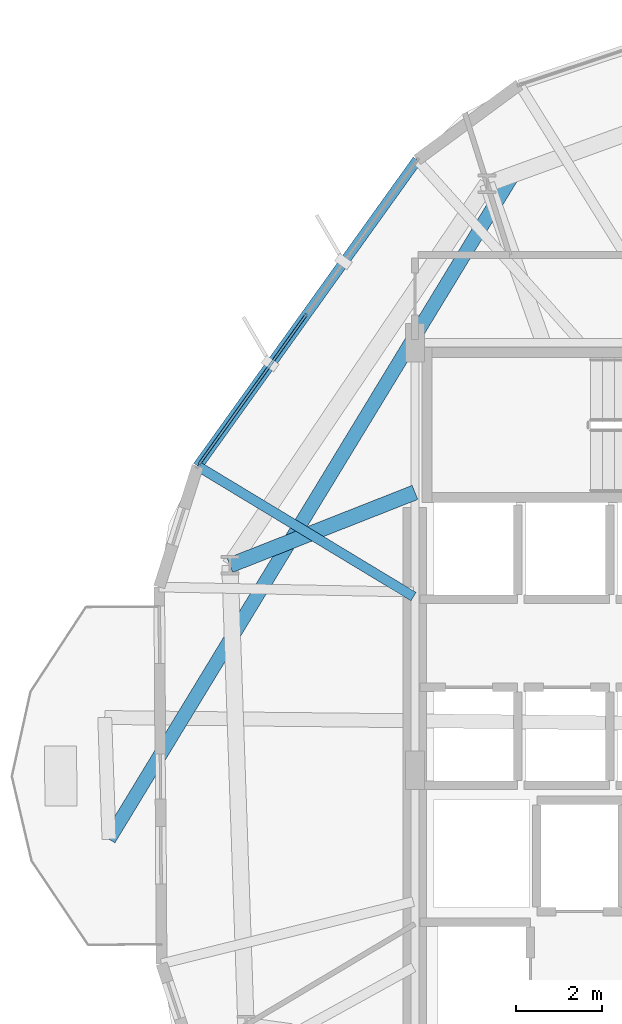
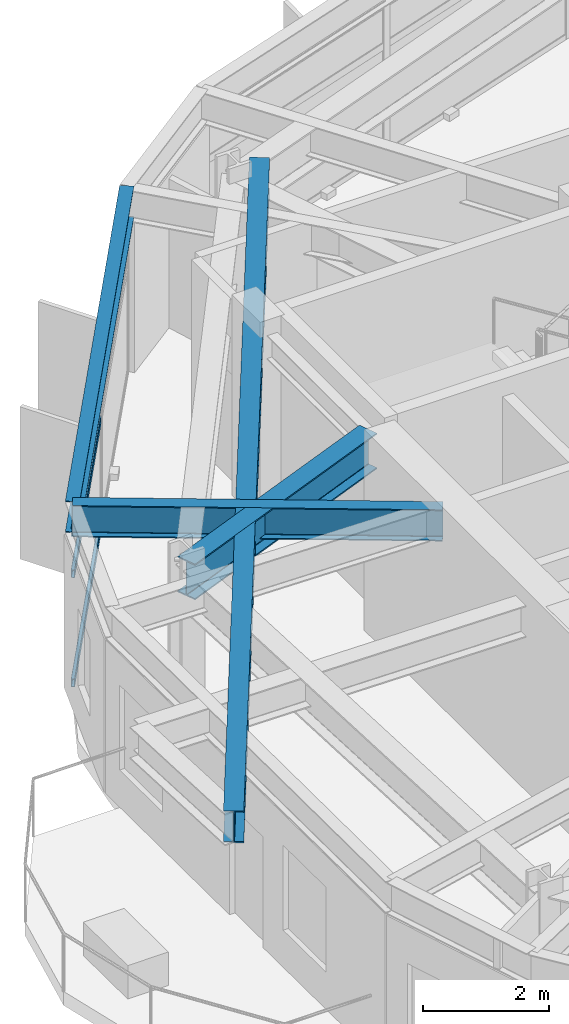
# One storey, part 9 of 27: 4 beams, 3 members, 1 element without a shape of its own.
"""IFC4 building model written with IfcOpenShell, lengths in metres."""

from ifc_helpers import new_model, si_unit, direction, frame, origin, origin_2d, place, context, subcontext, project, spatial, hollow_rectangle, i_section, extrude, material, layer, layer_set, material_profile, profile_set, type_object, element, aggregate, save


model = new_model("IFC4")

# Units and contexts
model_context = context("Model", 3, precision=1e-05, world=origin(), true_north=direction((0.0, 1.0)))
body_context = subcontext(model_context, "Body", "Model", "MODEL_VIEW")
ifc_project = project(units=[si_unit("LENGTHUNIT", "METRE"), si_unit("AREAUNIT", "SQUARE_METRE"), si_unit("VOLUMEUNIT", "CUBIC_METRE"), si_unit("PLANEANGLEUNIT", "RADIAN"), si_unit("MASSUNIT", "GRAM", prefix="KILO")], contexts=[model_context])

# Site, building, storey
site_placement = place(None, origin())
site = spatial("IfcSite", under=ifc_project, at=site_placement, CompositionType="ELEMENT")
building_placement = place(site_placement, origin())
building = spatial("IfcBuilding", under=site, at=building_placement, Name="Soratama Intermodal Tower", CompositionType="ELEMENT")
storey_placement = place(building_placement, frame((0.0, 0.0, 99.10009765625)))
storey = spatial("IfcBuildingStorey", under=building, at=storey_placement, Name="L23", CompositionType="ELEMENT", Elevation=99.10009765625)

# Beams
ifc_material_1 = material(Name="Structural steel ASTM A992 Grade 50", Category="steel")
ifc_material_profile_1 = material_profile(ifc_material_1, i_section(OverallWidth=0.324951171875, OverallDepth=0.615966796875, WebThickness=0.013916015625, FlangeThickness=0.021484375, FilletRadius=0.013916015625, at=origin_2d()), Name="W24X117")
ifc_profile_set_1 = profile_set([ifc_material_profile_1], Name="Structural steel ASTM A992 Grade 50")
beam_type_1 = type_object("IfcBeamType", Name="BM-CANT-W24X117", PredefinedType="BEAM", material=ifc_profile_set_1)
beam_1_placement = place(storey_placement, frame((34.8740234375, 38.89794921875, 3.2919921875), z_axis=(-0.519529903806, -0.854452268445, 0.0), x_axis=(0.854452268445, -0.519529903806, 0.0)))
element("IfcBeam", 1, at=beam_1_placement, inside=storey, type_object=beam_type_1, Name="BM-L23-CANT-3-2", PredefinedType="BEAM", context=body_context, shape_type="SweptSolid", body=[
    extrude(i_section(OverallWidth=0.324951171875, OverallDepth=0.615966796875, WebThickness=0.013916015625, FlangeThickness=0.021484375, FilletRadius=0.013916015625, at=origin_2d()), origin(), (0.0, 0.0, 1.0), 18.147216796875),
])
ifc_material_2 = material(Name="Structural steel ASTM A992 Grade 50", Category="steel")
ifc_material_profile_2 = material_profile(ifc_material_2, i_section(OverallWidth=0.35498046875, OverallDepth=0.695068359375, WebThickness=0.015380859375, FlangeThickness=0.02490234375, FilletRadius=0.01611328125, at=origin_2d()), Name="W27X146")
ifc_profile_set_2 = profile_set([ifc_material_profile_2], Name="Structural steel ASTM A992 Grade 50")
beam_type_2 = type_object("IfcBeamType", Name="BM-RING-W27X146", PredefinedType="BEAM", material=ifc_profile_set_2)
beam_2_placement = place(storey_placement, frame((32.60009765625, 31.5, 3.25244140625), z_axis=(-0.930419244357, -0.366496970971, 0.0), x_axis=(0.366496970971, -0.930419244357, 0.0)))
element("IfcBeam", 2, at=beam_2_placement, inside=storey, type_object=beam_type_2, Name="BM-L23-RAD-05", PredefinedType="BEAM", context=body_context, shape_type="SweptSolid", body=[
    extrude(i_section(OverallWidth=0.35498046875, OverallDepth=0.695068359375, WebThickness=0.015380859375, FlangeThickness=0.02490234375, FilletRadius=0.01611328125, at=origin_2d()), origin(), (0.0, 0.0, 1.0), 4.649658203125),
])
ifc_material_3 = material(Name="Structural steel ASTM A992 Grade 50", Category="steel")
ifc_material_profile_3 = material_profile(ifc_material_3, i_section(OverallWidth=0.22900390625, OverallDepth=0.612060546875, WebThickness=0.011962890625, FlangeThickness=0.01953125, FilletRadius=0.012939453125, at=origin_2d()), Name="W24X84")
ifc_profile_set_3 = profile_set([ifc_material_profile_3], Name="Structural steel ASTM A992 Grade 50")
beam_type_3 = type_object("IfcBeamType", Name="BM-SPN-W24X84", PredefinedType="SPANDREL", material=ifc_profile_set_3)
beam_3_placement = place(storey_placement, frame((32.65087890625, 39.27197265625, 3.2939453125), z_axis=(-0.582645622786, -0.812726324323, 0.0), x_axis=(0.812726324323, -0.582645622786, 0.0)))
element("IfcBeam", 3, at=beam_3_placement, inside=storey, type_object=beam_type_3, Name="BS-L23-F04", PredefinedType="SPANDREL", context=body_context, shape_type="SweptSolid", body=[
    extrude(i_section(OverallWidth=0.22900390625, OverallDepth=0.612060546875, WebThickness=0.011962890625, FlangeThickness=0.01953125, FilletRadius=0.012939453125, at=origin_2d()), origin(), (0.0, 0.0, 1.0), 8.80615234375),
])
ifc_material_4 = material(Name="Structural steel ASTM A992 Grade 50", Category="steel")
ifc_material_profile_4 = material_profile(ifc_material_4, i_section(OverallWidth=0.22900390625, OverallDepth=0.612060546875, WebThickness=0.011962890625, FlangeThickness=0.01953125, FilletRadius=0.012939453125, at=origin_2d()), Name="W24X84")
ifc_profile_set_4 = profile_set([ifc_material_profile_4], Name="Structural steel ASTM A992 Grade 50")
beam_type_4 = type_object("IfcBeamType", Name="BM-TIE-W24X84", PredefinedType="BEAM", material=ifc_profile_set_4)
beam_4_placement = place(storey_placement, frame((32.56591796875, 29.06494140625, 3.2939453125), z_axis=(-0.855804032012, 0.517300163147, 0.0), x_axis=(-0.517300163147, -0.855804032012, 0.0)))
element("IfcBeam", 4, at=beam_4_placement, inside=storey, type_object=beam_type_4, Name="BM-L23-TIE1-04", PredefinedType="BEAM", context=body_context, shape_type="SweptSolid", body=[
    extrude(i_section(OverallWidth=0.22900390625, OverallDepth=0.612060546875, WebThickness=0.011962890625, FlangeThickness=0.01953125, FilletRadius=0.012939453125, at=origin_2d()), origin(), (0.0, 0.0, 1.0), 5.89599609375),
])

# Curtain wall, members
ifc_material_5 = material(Name="Double-glazed aluminium curtain wall", Category="aluminium")
ifc_layer = layer(ifc_material_5, 0.159912109375)
ifc_layer_set = layer_set([ifc_layer], Name="Double-glazed aluminium curtain wall")
curtain_wall_type = type_object("IfcCurtainWallType", Name="CW-SYS-3", PredefinedType="NOTDEFINED", material=ifc_layer_set)
curtain_wall_placement = place(storey_placement, origin())
curtain_wall = element("IfcCurtainWall", 5, at=curtain_wall_placement, inside=storey, type_object=curtain_wall_type, Name="L23 Faceted Curtain Wall F04", PredefinedType="NOTDEFINED")
ifc_material_6 = material(Name="Anodised aluminium AA 6063-T6", Category="aluminium")
ifc_material_profile_5 = material_profile(ifc_material_6, hollow_rectangle(XDim=0.06494140625, YDim=0.14990234375, WallThickness=0.0048828125, InnerFilletRadius=0.0048828125, OuterFilletRadius=0.010009765625, at=origin_2d()), Name="CWT150X65X5")
ifc_profile_set_5 = profile_set([ifc_material_profile_5], Name="Anodised aluminium AA 6063-T6")
member_type = type_object("IfcMemberType", Name="TT-CWT-1", PredefinedType="USERDEFINED", material=ifc_profile_set_5)
member_1_placement = place(storey_placement, frame((30.068115234375, 35.669189453125, 0.02978515625), z_axis=(-0.582682836042, -0.812699644753, 0.0), x_axis=(0.812699644753, -0.582682836042, 0.0)))
member_1 = element("IfcMember", 6, at=member_1_placement, type_object=member_type, Name="CW-3 transom 2.1", ObjectType="TRANSOM", PredefinedType="USERDEFINED", context=body_context, shape_type="SweptSolid", body=[
    extrude(hollow_rectangle(XDim=0.06494140625, YDim=0.14990234375, WallThickness=0.0048828125, InnerFilletRadius=0.0048828125, OuterFilletRadius=0.010009765625, at=origin_2d()), origin(), (0.0, 0.0, 1.0), 4.3134765625),
])
member_2_placement = place(storey_placement, frame((30.068115234375, 35.669189453125, 2.14990234375), z_axis=(-0.582682836042, -0.812699644753, 0.0), x_axis=(0.812699644753, -0.582682836042, 0.0)))
member_2 = element("IfcMember", 7, at=member_2_placement, type_object=member_type, Name="CW-3 transom 2.2", ObjectType="TRANSOM", PredefinedType="USERDEFINED", context=body_context, shape_type="SweptSolid", body=[
    extrude(hollow_rectangle(XDim=0.06494140625, YDim=0.14990234375, WallThickness=0.0048828125, InnerFilletRadius=0.0048828125, OuterFilletRadius=0.010009765625, at=origin_2d()), origin(), (0.0, 0.0, 1.0), 4.3134765625),
])
member_3_placement = place(storey_placement, frame((30.068115234375, 35.669189453125, 2.948974609375), z_axis=(-0.582682836042, -0.812699644753, 0.0), x_axis=(0.812699644753, -0.582682836042, 0.0)))
member_3 = element("IfcMember", 8, at=member_3_placement, type_object=member_type, Name="CW-3 transom 2.3", ObjectType="TRANSOM", PredefinedType="USERDEFINED", context=body_context, shape_type="SweptSolid", body=[
    extrude(hollow_rectangle(XDim=0.06494140625, YDim=0.14990234375, WallThickness=0.0048828125, InnerFilletRadius=0.0048828125, OuterFilletRadius=0.010009765625, at=origin_2d()), origin(), (0.0, 0.0, 1.0), 4.3134765625),
])
aggregate(curtain_wall, [member_1, member_2, member_3])

save(model, "model.ifc")
